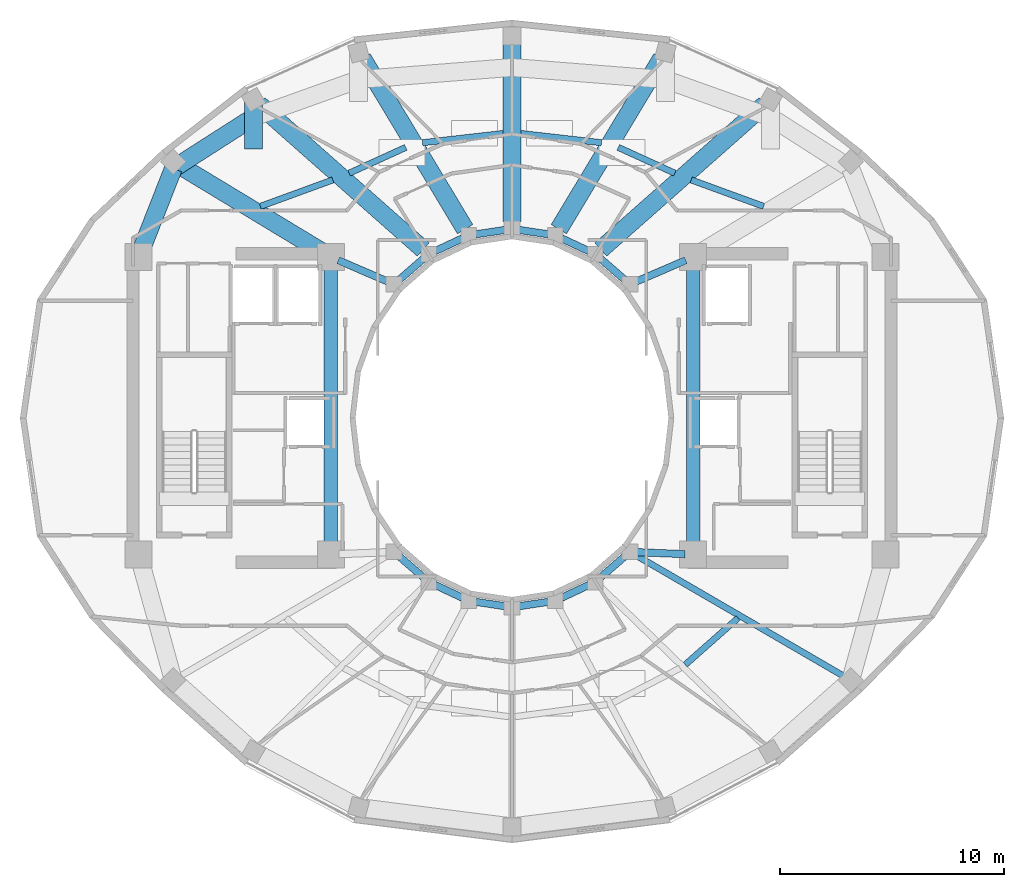
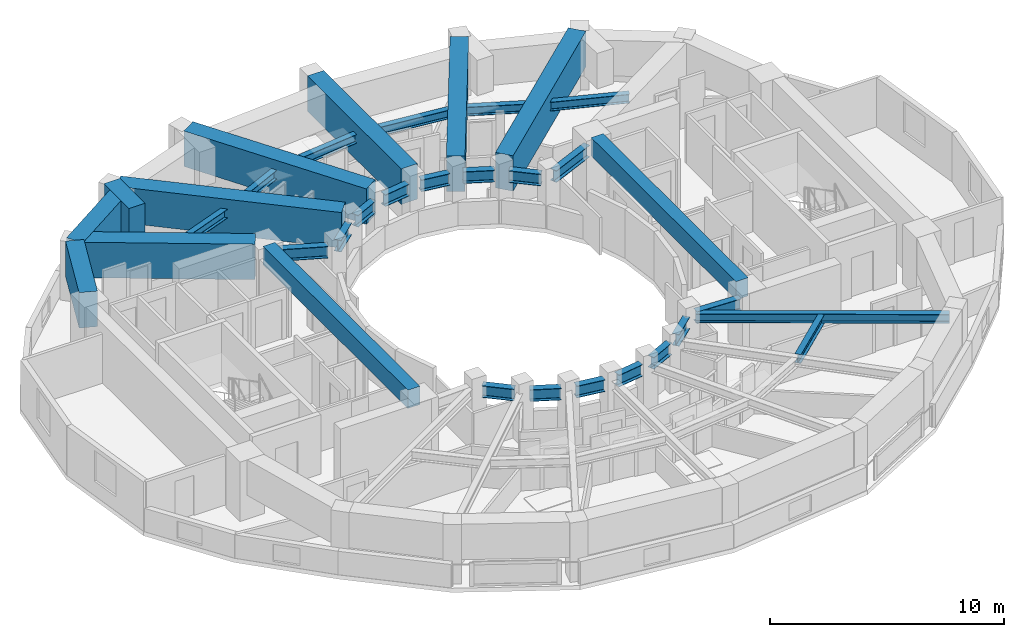
# One storey, part 5 of 17: 34 beams.
"""IFC4 building model written with IfcOpenShell, lengths in metres."""

from ifc_helpers import new_model, si_unit, direction, frame, origin, origin_2d, place, context, subcontext, project, spatial, rectangle, i_section, extrude, material, material_profile, profile_set, type_object, element, save


model = new_model("IFC4")

# Units and contexts
model_context = context("Model", 3, precision=1e-05, world=origin(), true_north=direction((0.0, 1.0)))
body_context = subcontext(model_context, "Body", "Model", "MODEL_VIEW")
ifc_project = project(units=[si_unit("LENGTHUNIT", "METRE"), si_unit("AREAUNIT", "SQUARE_METRE"), si_unit("VOLUMEUNIT", "CUBIC_METRE"), si_unit("PLANEANGLEUNIT", "RADIAN"), si_unit("MASSUNIT", "GRAM", prefix="KILO")], contexts=[model_context])

# Site, building, storey
site_placement = place(None, origin())
site = spatial("IfcSite", under=ifc_project, at=site_placement, CompositionType="ELEMENT")
building_placement = place(site_placement, origin())
building = spatial("IfcBuilding", under=site, at=building_placement, Name="Solvane Sanctuary Tower", CompositionType="ELEMENT")
storey_placement = place(building_placement, frame((0.0, 0.0, 235.699951171875)))
storey = spatial("IfcBuildingStorey", under=building, at=storey_placement, Name="L72", CompositionType="ELEMENT", Elevation=235.699951171875)

# Beams
ifc_material_1 = material(Name="Concrete C70/85", Category="concrete")
ifc_material_profile_1 = material_profile(ifc_material_1, rectangle(XDim=0.60009765625, YDim=0.949951171875, at=origin_2d()), Name="RC600X950")
ifc_profile_set_1 = profile_set([ifc_material_profile_1], Name="Concrete C70/85")
beam_type_1 = type_object("IfcBeamType", Name="Beam B-COUPLE RC600X950", PredefinedType="LINTEL", material=ifc_profile_set_1)
for number, where, z_axis, x_axis, name in (
    (1, (23.89990234375, 17.35009765625, 2.625), (0.0, 1.0, 0.0), (-1.0, 0.0, 0.0), "L72 West Core Coupling Lintel"),
    (2, (40.10009765625, 17.35009765625, 2.625), (0.0, 1.0, 0.0), (-1.0, 0.0, 0.0), "L72 East Core Coupling Lintel"),
):
    element("IfcBeam", number, at=place(storey_placement, frame(where, z_axis=z_axis, x_axis=x_axis)), inside=storey, type_object=beam_type_1, Name=name, PredefinedType="LINTEL", context=body_context, shape_type="SweptSolid", body=[
        extrude(rectangle(XDim=0.60009765625, YDim=0.949951171875, at=origin_2d()), origin(), (0.0, 0.0, 1.0), 12.39990234375),
    ])
ifc_material_2 = material(Name="Steel ASTM A992 Grade 50", Category="steel")
ifc_material_profile_2 = material_profile(ifc_material_2, i_section(OverallWidth=0.282958984375, OverallDepth=0.471923828125, WebThickness=0.013671875, FlangeThickness=0.022216796875, FilletRadius=0.013916015625, at=origin_2d()), Name="W18X97")
ifc_profile_set_2 = profile_set([ifc_material_profile_2], Name="Steel ASTM A992 Grade 50")
beam_type_2 = type_object("IfcBeamType", Name="Beam B-RAD-Z4 W18X97", PredefinedType="JOIST", material=ifc_profile_set_2)
beam_1_placement = place(storey_placement, frame((37.51708984375, 16.877197265625, 2.362060546875), z_axis=(0.864489234729, -0.502651333469, 0.0), x_axis=(0.502651333469, 0.864489234729, 0.0)))
element("IfcBeam", 3, at=beam_1_placement, inside=storey, type_object=beam_type_2, Name="L72 Radial Composite Floor Beam 14", PredefinedType="JOIST", context=body_context, shape_type="SweptSolid", body=[
    extrude(i_section(OverallWidth=0.282958984375, OverallDepth=0.471923828125, WebThickness=0.013671875, FlangeThickness=0.022216796875, FilletRadius=0.013916015625, at=origin_2d()), origin(), (0.0, 0.0, 1.0), 10.85693359375),
])
ifc_material_profile_3 = material_profile(ifc_material_2, i_section(OverallWidth=0.324951171875, OverallDepth=0.615966796875, WebThickness=0.013916015625, FlangeThickness=0.021484375, FilletRadius=0.01611328125, at=origin_2d()), Name="W24X117")
ifc_profile_set_3 = profile_set([ifc_material_profile_3], Name="Steel ASTM A992 Grade 50")
beam_type_3 = type_object("IfcBeamType", Name="Beam B-RING-IN2 W24X117", PredefinedType="BEAM", material=ifc_profile_set_3)
beam_2_placement = place(storey_placement, frame((24.230712890625, 30.0576171875, 2.2900390625), z_axis=(0.918283854026, -0.395922673554, 0.0), x_axis=(0.395922673554, 0.918283854026, 0.0)))
element("IfcBeam", 4, at=beam_2_placement, inside=storey, type_object=beam_type_3, Name="L72 Inner Light-Well Ring Beam CW3-IC07", PredefinedType="BEAM", context=body_context, shape_type="SweptSolid", body=[
    extrude(i_section(OverallWidth=0.324951171875, OverallDepth=0.615966796875, WebThickness=0.013916015625, FlangeThickness=0.021484375, FilletRadius=0.01611328125, at=origin_2d()), origin(), (0.0, 0.0, 1.0), 2.396240234375),
])
beam_3_placement = place(storey_placement, frame((26.96630859375, 29.192138671875, 2.2900390625), z_axis=(0.754388985763, 0.656427648839, 0.0), x_axis=(-0.656427648839, 0.754388985763, 0.0)))
element("IfcBeam", 5, at=beam_3_placement, inside=storey, type_object=beam_type_3, Name="L72 Inner Light-Well Ring Beam IC07-IC06", PredefinedType="BEAM", context=body_context, shape_type="SweptSolid", body=[
    extrude(i_section(OverallWidth=0.324951171875, OverallDepth=0.615966796875, WebThickness=0.013916015625, FlangeThickness=0.021484375, FilletRadius=0.01611328125, at=origin_2d()), origin(), (0.0, 0.0, 1.0), 1.408203125),
])
beam_4_placement = place(storey_placement, frame((28.5595703125, 30.462646484375, 2.2900390625), z_axis=(0.905134542189, 0.425125229241, 0.0), x_axis=(-0.425125229241, 0.905134542189, 0.0)))
element("IfcBeam", 6, at=beam_4_placement, inside=storey, type_object=beam_type_3, Name="L72 Inner Light-Well Ring Beam IC06-IC05", PredefinedType="BEAM", context=body_context, shape_type="SweptSolid", body=[
    extrude(i_section(OverallWidth=0.324951171875, OverallDepth=0.615966796875, WebThickness=0.013916015625, FlangeThickness=0.021484375, FilletRadius=0.01611328125, at=origin_2d()), origin(), (0.0, 0.0, 1.0), 1.347900390625),
])
for number, where, z_axis, x_axis, name in (
    (7, (30.3857421875, 31.218994140625, 2.2900390625), (0.989056121481, 0.147539786368, 0.0), (-0.147539786368, 0.989056121481, 0.0), "L72 Inner Light-Well Ring Beam IC05-IC04"),
    (8, (32.31640625, 31.41259765625, 2.2900390625), (0.989056121481, -0.147539786368, 0.0), (0.147539786368, 0.989056121481, 0.0), "L72 Inner Light-Well Ring Beam IC04-IC03"),
):
    element("IfcBeam", number, at=place(storey_placement, frame(where, z_axis=z_axis, x_axis=x_axis)), inside=storey, type_object=beam_type_3, Name=name, PredefinedType="BEAM", context=body_context, shape_type="SweptSolid", body=[
        extrude(i_section(OverallWidth=0.324951171875, OverallDepth=0.615966796875, WebThickness=0.013916015625, FlangeThickness=0.021484375, FilletRadius=0.01611328125, at=origin_2d()), origin(), (0.0, 0.0, 1.0), 1.312255859375),
    ])
beam_5_placement = place(storey_placement, frame((34.220458984375, 31.03564453125, 2.2900390625), z_axis=(0.905134542189, -0.425125229241, 0.0), x_axis=(0.425125229241, 0.905134542189, 0.0)))
element("IfcBeam", 9, at=beam_5_placement, inside=storey, type_object=beam_type_3, Name="L72 Inner Light-Well Ring Beam IC03-IC02", PredefinedType="BEAM", context=body_context, shape_type="SweptSolid", body=[
    extrude(i_section(OverallWidth=0.324951171875, OverallDepth=0.615966796875, WebThickness=0.013916015625, FlangeThickness=0.021484375, FilletRadius=0.01611328125, at=origin_2d()), origin(), (0.0, 0.0, 1.0), 1.347900390625),
])
beam_6_placement = place(storey_placement, frame((35.971435546875, 30.116455078125, 2.2900390625), z_axis=(0.754388985763, -0.656427648839, 0.0), x_axis=(0.656427648839, 0.754388985763, 0.0)))
element("IfcBeam", 10, at=beam_6_placement, inside=storey, type_object=beam_type_3, Name="L72 Inner Light-Well Ring Beam IC02-IC01", PredefinedType="BEAM", context=body_context, shape_type="SweptSolid", body=[
    extrude(i_section(OverallWidth=0.324951171875, OverallDepth=0.615966796875, WebThickness=0.013916015625, FlangeThickness=0.021484375, FilletRadius=0.01611328125, at=origin_2d()), origin(), (0.0, 0.0, 1.0), 1.408203125),
])
beam_7_placement = place(storey_placement, frame((37.56884765625, 29.10888671875, 2.2900390625), z_axis=(0.918283854026, 0.395922673554, 0.0), x_axis=(-0.395922673554, 0.918283854026, 0.0)))
element("IfcBeam", 11, at=beam_7_placement, inside=storey, type_object=beam_type_3, Name="L72 Inner Light-Well Ring Beam IC01-CE4", PredefinedType="BEAM", context=body_context, shape_type="SweptSolid", body=[
    extrude(i_section(OverallWidth=0.324951171875, OverallDepth=0.615966796875, WebThickness=0.013916015625, FlangeThickness=0.021484375, FilletRadius=0.01611328125, at=origin_2d()), origin(), (0.0, 0.0, 1.0), 2.396240234375),
])
beam_8_placement = place(storey_placement, frame((26.96630859375, 16.807861328125, 2.2900390625), z_axis=(0.754388985763, -0.656427648839, 0.0), x_axis=(0.656427648839, 0.754388985763, 0.0)))
element("IfcBeam", 12, at=beam_8_placement, inside=storey, type_object=beam_type_3, Name="L72 Inner Light-Well Ring Beam IC08-IC09", PredefinedType="BEAM", context=body_context, shape_type="SweptSolid", body=[
    extrude(i_section(OverallWidth=0.324951171875, OverallDepth=0.615966796875, WebThickness=0.013916015625, FlangeThickness=0.021484375, FilletRadius=0.01611328125, at=origin_2d()), origin(), (0.0, 0.0, 1.0), 1.408203125),
])
beam_9_placement = place(storey_placement, frame((28.5595703125, 15.537353515625, 2.2900390625), z_axis=(0.905134542189, -0.425125229241, 0.0), x_axis=(0.425125229241, 0.905134542189, 0.0)))
element("IfcBeam", 13, at=beam_9_placement, inside=storey, type_object=beam_type_3, Name="L72 Inner Light-Well Ring Beam IC09-IC10", PredefinedType="BEAM", context=body_context, shape_type="SweptSolid", body=[
    extrude(i_section(OverallWidth=0.324951171875, OverallDepth=0.615966796875, WebThickness=0.013916015625, FlangeThickness=0.021484375, FilletRadius=0.01611328125, at=origin_2d()), origin(), (0.0, 0.0, 1.0), 1.347900390625),
])
for number, where, z_axis, x_axis, name in (
    (14, (30.3857421875, 14.781005859375, 2.2900390625), (0.989056121481, -0.147539786368, 0.0), (0.147539786368, 0.989056121481, 0.0), "L72 Inner Light-Well Ring Beam IC10-IC11"),
    (15, (32.31640625, 14.58740234375, 2.2900390625), (0.989056121481, 0.147539786368, 0.0), (-0.147539786368, 0.989056121481, 0.0), "L72 Inner Light-Well Ring Beam IC11-IC12"),
):
    element("IfcBeam", number, at=place(storey_placement, frame(where, z_axis=z_axis, x_axis=x_axis)), inside=storey, type_object=beam_type_3, Name=name, PredefinedType="BEAM", context=body_context, shape_type="SweptSolid", body=[
        extrude(i_section(OverallWidth=0.324951171875, OverallDepth=0.615966796875, WebThickness=0.013916015625, FlangeThickness=0.021484375, FilletRadius=0.01611328125, at=origin_2d()), origin(), (0.0, 0.0, 1.0), 1.312255859375),
    ])
beam_10_placement = place(storey_placement, frame((34.220458984375, 14.96435546875, 2.2900390625), z_axis=(0.905134542189, 0.425125229241, 0.0), x_axis=(-0.425125229241, 0.905134542189, 0.0)))
element("IfcBeam", 16, at=beam_10_placement, inside=storey, type_object=beam_type_3, Name="L72 Inner Light-Well Ring Beam IC12-IC13", PredefinedType="BEAM", context=body_context, shape_type="SweptSolid", body=[
    extrude(i_section(OverallWidth=0.324951171875, OverallDepth=0.615966796875, WebThickness=0.013916015625, FlangeThickness=0.021484375, FilletRadius=0.01611328125, at=origin_2d()), origin(), (0.0, 0.0, 1.0), 1.347900390625),
])
beam_11_placement = place(storey_placement, frame((35.971435546875, 15.883544921875, 2.2900390625), z_axis=(0.754388985763, 0.656427648839, 0.0), x_axis=(-0.656427648839, 0.754388985763, 0.0)))
element("IfcBeam", 17, at=beam_11_placement, inside=storey, type_object=beam_type_3, Name="L72 Inner Light-Well Ring Beam IC13-IC14", PredefinedType="BEAM", context=body_context, shape_type="SweptSolid", body=[
    extrude(i_section(OverallWidth=0.324951171875, OverallDepth=0.615966796875, WebThickness=0.013916015625, FlangeThickness=0.021484375, FilletRadius=0.01611328125, at=origin_2d()), origin(), (0.0, 0.0, 1.0), 1.408203125),
])
beam_12_placement = place(storey_placement, frame((37.5947265625, 17.004638671875, 2.2900390625), z_axis=(0.999129127803, -0.041725124022, 0.0), x_axis=(0.041725124022, 0.999129127803, 0.0)))
element("IfcBeam", 18, at=beam_12_placement, inside=storey, type_object=beam_type_3, Name="L72 Inner Light-Well Ring Beam IC14-CE1", PredefinedType="BEAM", context=body_context, shape_type="SweptSolid", body=[
    extrude(i_section(OverallWidth=0.324951171875, OverallDepth=0.615966796875, WebThickness=0.013916015625, FlangeThickness=0.021484375, FilletRadius=0.01611328125, at=origin_2d()), origin(), (0.0, 0.0, 1.0), 2.1474609375),
])
ifc_material_profile_4 = material_profile(ifc_material_2, i_section(OverallWidth=0.280029296875, OverallDepth=0.462890625, WebThickness=0.0107421875, FlangeThickness=0.017333984375, FilletRadius=0.013916015625, at=origin_2d()), Name="W18X76")
ifc_profile_set_4 = profile_set([ifc_material_profile_4], Name="Steel ASTM A992 Grade 50")
beam_type_4 = type_object("IfcBeamType", Name="Beam B-SEC-JOIST W18X76", PredefinedType="JOIST", material=ifc_profile_set_4)
beam_13_placement = place(storey_placement, frame((20.74853515625, 32.46630859375, 2.366455078125), z_axis=(0.939358406289, 0.342936997908, 0.0), x_axis=(-0.342936997908, 0.939358406289, 0.0)))
element("IfcBeam", 19, at=beam_13_placement, inside=storey, type_object=beam_type_4, Name="L72 Secondary Circumferential Joist 07-06", PredefinedType="JOIST", context=body_context, shape_type="SweptSolid", body=[
    extrude(i_section(OverallWidth=0.280029296875, OverallDepth=0.462890625, WebThickness=0.0107421875, FlangeThickness=0.017333984375, FilletRadius=0.013916015625, at=origin_2d()), origin(), (0.0, 0.0, 1.0), 3.447021484375),
])
beam_14_placement = place(storey_placement, frame((24.716796875, 33.947998046875, 2.366455078125), z_axis=(0.90971611365, 0.415230770254, 0.0), x_axis=(-0.415230770254, 0.90971611365, 0.0)))
element("IfcBeam", 20, at=beam_14_placement, inside=storey, type_object=beam_type_4, Name="L72 Secondary Circumferential Joist 06-05", PredefinedType="JOIST", context=body_context, shape_type="SweptSolid", body=[
    extrude(i_section(OverallWidth=0.280029296875, OverallDepth=0.462890625, WebThickness=0.0107421875, FlangeThickness=0.017333984375, FilletRadius=0.013916015625, at=origin_2d()), origin(), (0.0, 0.0, 1.0), 2.78173828125),
])
for number, where, z_axis, x_axis, name in (
    (21, (27.998779296875, 35.31201171875, 2.366455078125), (0.993512726939, 0.113720980516, 0.0), (-0.113720980516, 0.993512726939, 0.0), "L72 Secondary Circumferential Joist 05-04"),
    (22, (32.392333984375, 35.72509765625, 2.366455078125), (0.993512726939, -0.113720980516, 0.0), (0.113720980516, 0.993512726939, 0.0), "L72 Secondary Circumferential Joist 04-03"),
):
    element("IfcBeam", number, at=place(storey_placement, frame(where, z_axis=z_axis, x_axis=x_axis)), inside=storey, type_object=beam_type_4, Name=name, PredefinedType="JOIST", context=body_context, shape_type="SweptSolid", body=[
        extrude(i_section(OverallWidth=0.280029296875, OverallDepth=0.462890625, WebThickness=0.0107421875, FlangeThickness=0.017333984375, FilletRadius=0.013916015625, at=origin_2d()), origin(), (0.0, 0.0, 1.0), 3.632568359375),
    ])
beam_15_placement = place(storey_placement, frame((36.752685546875, 35.10302734375, 2.366455078125), z_axis=(0.90971611365, -0.415230770254, 0.0), x_axis=(0.415230770254, 0.90971611365, 0.0)))
element("IfcBeam", 23, at=beam_15_placement, inside=storey, type_object=beam_type_4, Name="L72 Secondary Circumferential Joist 03-02", PredefinedType="JOIST", context=body_context, shape_type="SweptSolid", body=[
    extrude(i_section(OverallWidth=0.280029296875, OverallDepth=0.462890625, WebThickness=0.0107421875, FlangeThickness=0.017333984375, FilletRadius=0.013916015625, at=origin_2d()), origin(), (0.0, 0.0, 1.0), 2.78173828125),
])
beam_16_placement = place(storey_placement, frame((40.013427734375, 33.6484375, 2.366455078125), z_axis=(0.939358406289, -0.342936997908, 0.0), x_axis=(0.342936997908, 0.939358406289, 0.0)))
element("IfcBeam", 24, at=beam_16_placement, inside=storey, type_object=beam_type_4, Name="L72 Secondary Circumferential Joist 02-01", PredefinedType="JOIST", context=body_context, shape_type="SweptSolid", body=[
    extrude(i_section(OverallWidth=0.280029296875, OverallDepth=0.462890625, WebThickness=0.0107421875, FlangeThickness=0.017333984375, FilletRadius=0.013916015625, at=origin_2d()), origin(), (0.0, 0.0, 1.0), 3.447021484375),
])
beam_17_placement = place(storey_placement, frame((39.744873046875, 11.97021484375, 2.366455078125), z_axis=(0.749354102876, 0.662169486236, 0.0), x_axis=(-0.662169486236, 0.749354102876, 0.0)))
element("IfcBeam", 25, at=beam_17_placement, inside=storey, type_object=beam_type_4, Name="L72 Secondary Circumferential Joist 13-14", PredefinedType="JOIST", context=body_context, shape_type="SweptSolid", body=[
    extrude(i_section(OverallWidth=0.280029296875, OverallDepth=0.462890625, WebThickness=0.0107421875, FlangeThickness=0.017333984375, FilletRadius=0.013916015625, at=origin_2d()), origin(), (0.0, 0.0, 1.0), 3.153076171875),
])
ifc_material_profile_5 = material_profile(ifc_material_1, rectangle(XDim=0.800048828125, YDim=1.85009765625, at=origin_2d()), Name="RC800X1850")
ifc_profile_set_5 = profile_set([ifc_material_profile_5], Name="Concrete C70/85")
beam_type_5 = type_object("IfcBeamType", Name="Beam B-XFER-BLK RC800X1850", PredefinedType="BEAM", material=ifc_profile_set_5)
beam_18_placement = place(storey_placement, frame((35.9697265625, 30.53857421875, 2.175048828125), z_axis=(0.749347766597, 0.662176656713, 0.0), x_axis=(-0.662176656713, 0.749347766597, 0.0)))
element("IfcBeam", 26, at=beam_18_placement, inside=storey, type_object=beam_type_5, Name="L72 Block-Shift Radial Transfer Girder 02A", PredefinedType="BEAM", context=body_context, shape_type="SweptSolid", body=[
    extrude(rectangle(XDim=0.800048828125, YDim=1.85009765625, at=origin_2d()), origin(), (0.0, 0.0, 1.0), 9.802490234375),
])
beam_19_placement = place(storey_placement, frame((34.095703125, 31.44580078125, 2.175048828125), z_axis=(0.515336980031, 0.856987629439, 0.0), x_axis=(-0.856987629439, 0.515336980031, 0.0)))
element("IfcBeam", 27, at=beam_19_placement, inside=storey, type_object=beam_type_5, Name="L72 Block-Shift Radial Transfer Girder 03A", PredefinedType="BEAM", context=body_context, shape_type="SweptSolid", body=[
    extrude(rectangle(XDim=0.800048828125, YDim=1.85009765625, at=origin_2d()), origin(), (0.0, 0.0, 1.0), 8.91748046875),
])
beam_20_placement = place(storey_placement, frame((32.0, 31.780029296875, 2.175048828125), z_axis=(0.0, 1.0, 0.0), x_axis=(-1.0, 0.0, 0.0)))
element("IfcBeam", 28, at=beam_20_placement, inside=storey, type_object=beam_type_5, Name="L72 Block-Shift Radial Transfer Girder 04A", PredefinedType="BEAM", context=body_context, shape_type="SweptSolid", body=[
    extrude(rectangle(XDim=0.800048828125, YDim=1.85009765625, at=origin_2d()), origin(), (0.0, 0.0, 1.0), 8.02001953125),
])
beam_21_placement = place(storey_placement, frame((29.904296875, 31.44580078125, 2.175048828125), z_axis=(-0.515336980031, 0.856987629439, 0.0), x_axis=(-0.856987629439, -0.515336980031, 0.0)))
element("IfcBeam", 29, at=beam_21_placement, inside=storey, type_object=beam_type_5, Name="L72 Block-Shift Radial Transfer Girder 05A", PredefinedType="BEAM", context=body_context, shape_type="SweptSolid", body=[
    extrude(rectangle(XDim=0.800048828125, YDim=1.85009765625, at=origin_2d()), origin(), (0.0, 0.0, 1.0), 8.91748046875),
])
beam_22_placement = place(storey_placement, frame((28.0302734375, 30.53857421875, 2.175048828125), z_axis=(-0.749347766597, 0.662176656713, 0.0), x_axis=(-0.662176656713, -0.749347766597, 0.0)))
element("IfcBeam", 30, at=beam_22_placement, inside=storey, type_object=beam_type_5, Name="L72 Block-Shift Radial Transfer Girder 06A", PredefinedType="BEAM", context=body_context, shape_type="SweptSolid", body=[
    extrude(rectangle(XDim=0.800048828125, YDim=1.85009765625, at=origin_2d()), origin(), (0.0, 0.0, 1.0), 9.802490234375),
])
beam_23_placement = place(storey_placement, frame((20.44482421875, 37.19140625, 2.175048828125), z_axis=(0.0, -1.0, 0.0), x_axis=(1.0, 0.0, 0.0)))
element("IfcBeam", 31, at=beam_23_placement, inside=storey, type_object=beam_type_5, Name="L72 Block-Shift Transfer Tie 06B", PredefinedType="BEAM", context=body_context, shape_type="SweptSolid", body=[
    extrude(rectangle(XDim=0.800048828125, YDim=1.85009765625, at=origin_2d()), origin(), (0.0, 0.0, 1.0), 2.14990234375),
])
beam_24_placement = place(storey_placement, frame((23.592041015625, 30.38623046875, 2.175048828125), z_axis=(-0.855612120123, 0.517617522789, 0.0), x_axis=(-0.517617522789, -0.855612120123, 0.0)))
element("IfcBeam", 32, at=beam_24_placement, inside=storey, type_object=beam_type_5, Name="L72 Block-Shift Radial Transfer Girder 07A", PredefinedType="BEAM", context=body_context, shape_type="SweptSolid", body=[
    extrude(rectangle(XDim=0.800048828125, YDim=1.85009765625, at=origin_2d()), origin(), (0.0, 0.0, 1.0), 7.59375),
])
beam_25_placement = place(storey_placement, frame((15.431640625, 30.53515625, 2.175048828125), z_axis=(0.365545674733, 0.930793403331, 0.0), x_axis=(-0.930793403331, 0.365545674733, 0.0)))
element("IfcBeam", 33, at=beam_25_placement, inside=storey, type_object=beam_type_5, Name="L72 Perimeter Step Transfer Ring CW4-NTC07", PredefinedType="BEAM", context=body_context, shape_type="SweptSolid", body=[
    extrude(rectangle(XDim=0.800048828125, YDim=1.85009765625, at=origin_2d()), origin(), (0.0, 0.0, 1.0), 3.893798828125),
])
beam_26_placement = place(storey_placement, frame((16.85498046875, 34.159423828125, 2.175048828125), z_axis=(0.842259957274, 0.539071576299, 0.0), x_axis=(-0.539071576299, 0.842259957274, 0.0)))
element("IfcBeam", 34, at=beam_26_placement, inside=storey, type_object=beam_type_5, Name="L72 Perimeter Step Transfer Ring NTC07-NTC06", PredefinedType="BEAM", context=body_context, shape_type="SweptSolid", body=[
    extrude(rectangle(XDim=0.800048828125, YDim=1.85009765625, at=origin_2d()), origin(), (0.0, 0.0, 1.0), 4.26220703125),
])

save(model, "model.ifc")
